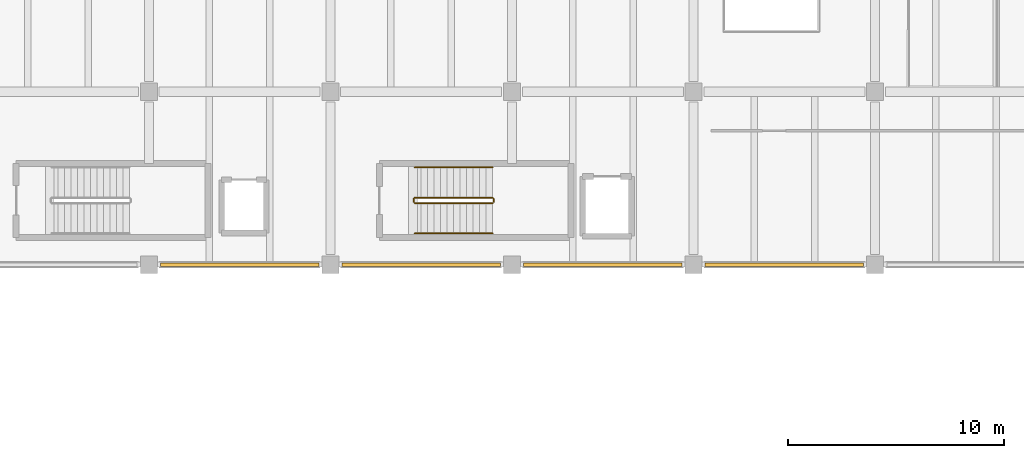
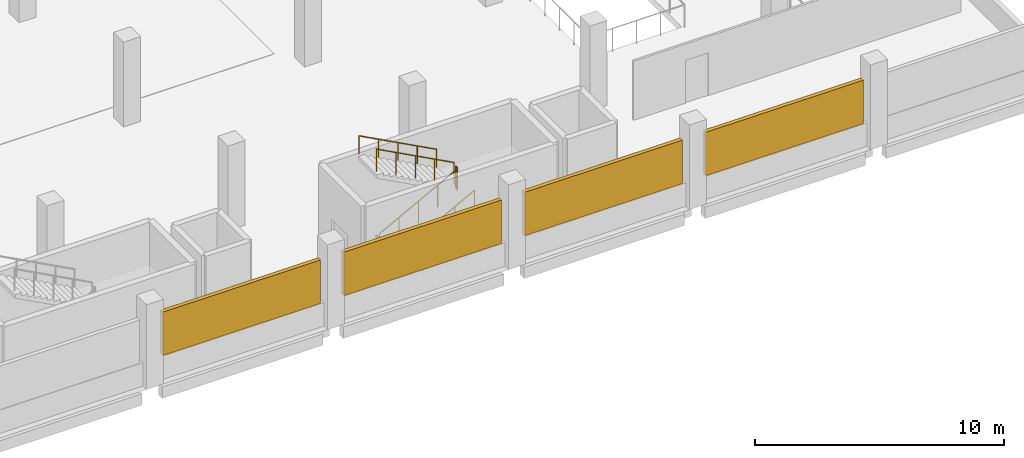
# One storey, part 174 of 177: 6 railings, 4 shading devices.
"""IFC4 building model written with IfcOpenShell, lengths in metres."""

from ifc_helpers import new_model, si_unit, direction, frame, origin, origin_2d, place, context, subcontext, project, spatial, rectangle, circle, extrude, material, type_object, element, save


model = new_model("IFC4")

# Units and contexts
model_context = context("Model", 3, precision=1e-05, world=origin(), true_north=direction((0.0, 1.0)))
body_context = subcontext(model_context, "Body", "Model", "MODEL_VIEW")
ifc_project = project(units=[si_unit("LENGTHUNIT", "METRE"), si_unit("AREAUNIT", "SQUARE_METRE"), si_unit("VOLUMEUNIT", "CUBIC_METRE"), si_unit("PLANEANGLEUNIT", "RADIAN"), si_unit("MASSUNIT", "GRAM", prefix="KILO"), si_unit("THERMODYNAMICTEMPERATUREUNIT", "KELVIN"), si_unit("POWERUNIT", "WATT")], contexts=[model_context])

# Site, building, storey
site_placement = place(None, origin())
site = spatial("IfcSite", under=ifc_project, at=site_placement, CompositionType="ELEMENT")
building_placement = place(site_placement, origin())
building = spatial("IfcBuilding", under=site, at=building_placement, Name="Mavoryth Pier Ferry Terminal", CompositionType="ELEMENT")
storey_placement = place(building_placement, frame((0.0, 0.0, 5.43994140625)))
storey = spatial("IfcBuildingStorey", under=building, at=storey_placement, Name="L01", CompositionType="ELEMENT", Elevation=5.43994140625)

# Railings
ifc_material_1 = material(Name="Painted Galvanised Steel Balustrade", Category="steel")
railing_type_1 = type_object("IfcRailingType", Name="Guard-Stair-Steel1100", PredefinedType="GUARDRAIL", material=ifc_material_1)
railing_1_placement = place(storey_placement, frame((138.300048828125, 16.85009765625, 0.16015625)))
element("IfcRailing", 1, at=railing_1_placement, inside=storey, type_object=railing_type_1, Name="L01 ST09 stair guard 1", PredefinedType="GUARDRAIL", context=body_context, shape_type="SweptSolid", body=[
    extrude(circle(Radius=0.02392578125, at=origin_2d()), frame((0.0, 0.0, 1.076171875), z_axis=(0.882352941176, 0.0, 0.470588235294), x_axis=(0.0, 1.0, 0.0)), (0.0, 0.0, 1.0), 4.079833984375),
    extrude(circle(Radius=0.02099609375, at=origin_2d()), origin(), (0.0, 0.0, 1.0), 1.052001953125),
    extrude(circle(Radius=0.02099609375, at=origin_2d()), frame((0.89990234375, 0.0, 0.47998046875)), (0.0, 0.0, 1.0), 1.052001953125),
    extrude(circle(Radius=0.02099609375, at=origin_2d()), frame((1.7998046875, 0.0, 0.9599609375)), (0.0, 0.0, 1.0), 1.052001953125),
    extrude(circle(Radius=0.02099609375, at=origin_2d()), frame((2.699951171875, 0.0, 1.43994140625)), (0.0, 0.0, 1.0), 1.052001953125),
    extrude(circle(Radius=0.02099609375, at=origin_2d()), frame((3.599853515625, 0.0, 1.919921875)), (0.0, 0.0, 1.0), 1.052001953125),
])
railing_2_placement = place(storey_placement, frame((141.949951171875, 16.89990234375, 2.080078125)))
element("IfcRailing", 2, at=railing_2_placement, inside=storey, type_object=railing_type_1, Name="L01 ST09 stair guard 2", PredefinedType="GUARDRAIL", context=body_context, shape_type="SweptSolid", body=[
    extrude(circle(Radius=0.02392578125, at=origin_2d()), frame((0.0, 0.0, 1.076171875), z_axis=(0.0, 1.0, 0.0), x_axis=(-1.0, 0.0, 0.0)), (0.0, 0.0, 1.0), 0.150146484375),
    extrude(circle(Radius=0.02099609375, at=origin_2d()), origin(), (0.0, 0.0, 1.0), 1.052001953125),
    extrude(circle(Radius=0.02099609375, at=origin_2d()), frame((0.0, 0.150146484375, 0.0)), (0.0, 0.0, 1.0), 1.052001953125),
])
railing_3_placement = place(storey_placement, frame((141.89990234375, 17.10009765625, 2.239990234375)))
element("IfcRailing", 3, at=railing_3_placement, inside=storey, type_object=railing_type_1, Name="L01 ST09 stair guard 3", PredefinedType="GUARDRAIL", context=body_context, shape_type="SweptSolid", body=[
    extrude(circle(Radius=0.02392578125, at=origin_2d()), frame((0.0, 0.0, 1.076171875), z_axis=(-0.882328093246, 0.0, 0.470634822203), x_axis=(0.0, -1.0, 0.0)), (0.0, 0.0, 1.0), 4.079833984375),
    extrude(circle(Radius=0.02099609375, at=origin_2d()), origin(), (0.0, 0.0, 1.0), 1.052001953125),
    extrude(circle(Radius=0.02099609375, at=origin_2d()), frame((-0.89990234375, 0.0, 0.47998046875)), (0.0, 0.0, 1.0), 1.052001953125),
    extrude(circle(Radius=0.02099609375, at=origin_2d()), frame((-1.7998046875, 0.0, 0.9599609375)), (0.0, 0.0, 1.0), 1.052001953125),
    extrude(circle(Radius=0.02099609375, at=origin_2d()), frame((-2.699951171875, 0.0, 1.440185546875)), (0.0, 0.0, 1.0), 1.052001953125),
    extrude(circle(Radius=0.02099609375, at=origin_2d()), frame((-3.599853515625, 0.0, 1.920166015625)), (0.0, 0.0, 1.0), 1.052001953125),
])
railing_4_placement = place(storey_placement, frame((138.25, 16.89990234375, 0.0)))
element("IfcRailing", 4, at=railing_4_placement, inside=storey, type_object=railing_type_1, Name="L01 ST09 stair guard 4", PredefinedType="GUARDRAIL", context=body_context, shape_type="SweptSolid", body=[
    extrude(circle(Radius=0.02392578125, at=origin_2d()), frame((0.0, 0.0, 1.076171875), z_axis=(0.0, 1.0, 0.0), x_axis=(-1.0, 0.0, 0.0)), (0.0, 0.0, 1.0), 0.150146484375),
    extrude(circle(Radius=0.02099609375, at=origin_2d()), origin(), (0.0, 0.0, 1.0), 1.052001953125),
    extrude(circle(Radius=0.02099609375, at=origin_2d()), frame((0.0, 0.150146484375, 0.0)), (0.0, 0.0, 1.0), 1.052001953125),
])
ifc_material_2 = material(Name="Brushed Stainless Steel Tubular Handrail", Category="steel")
railing_type_2 = type_object("IfcRailingType", Name="Handrail-Stair-SS900", PredefinedType="HANDRAIL", material=ifc_material_2)
railing_5_placement = place(storey_placement, frame((138.300048828125, 15.449951171875, 0.16015625)))
element("IfcRailing", 5, at=railing_5_placement, inside=storey, type_object=railing_type_2, Name="L01 ST09 stair handrail 1", PredefinedType="HANDRAIL", context=body_context, shape_type="SweptSolid", body=[
    extrude(circle(Radius=0.02392578125, at=origin_2d()), frame((0.0, 0.0, 0.8759765625), z_axis=(0.882352941176, 0.0, 0.470588235294), x_axis=(0.0, 1.0, 0.0)), (0.0, 0.0, 1.0), 4.079833984375),
    extrude(circle(Radius=0.02099609375, at=origin_2d()), origin(), (0.0, 0.0, 1.0), 0.851806640625),
    extrude(circle(Radius=0.02099609375, at=origin_2d()), frame((0.89990234375, 0.0, 0.47998046875)), (0.0, 0.0, 1.0), 0.851806640625),
    extrude(circle(Radius=0.02099609375, at=origin_2d()), frame((1.7998046875, 0.0, 0.9599609375)), (0.0, 0.0, 1.0), 0.851806640625),
    extrude(circle(Radius=0.02099609375, at=origin_2d()), frame((2.699951171875, 0.0, 1.43994140625)), (0.0, 0.0, 1.0), 0.851806640625),
    extrude(circle(Radius=0.02099609375, at=origin_2d()), frame((3.599853515625, 0.0, 1.919921875)), (0.0, 0.0, 1.0), 0.851806640625),
])
railing_6_placement = place(storey_placement, frame((141.89990234375, 18.5, 2.239990234375)))
element("IfcRailing", 6, at=railing_6_placement, inside=storey, type_object=railing_type_2, Name="L01 ST09 stair handrail 2", PredefinedType="HANDRAIL", context=body_context, shape_type="SweptSolid", body=[
    extrude(circle(Radius=0.02392578125, at=origin_2d()), frame((0.0, 0.0, 0.8759765625), z_axis=(-0.882328093246, 0.0, 0.470634822203), x_axis=(0.0, -1.0, 0.0)), (0.0, 0.0, 1.0), 4.079833984375),
    extrude(circle(Radius=0.02099609375, at=origin_2d()), origin(), (0.0, 0.0, 1.0), 0.851806640625),
    extrude(circle(Radius=0.02099609375, at=origin_2d()), frame((-0.89990234375, 0.0, 0.47998046875)), (0.0, 0.0, 1.0), 0.851806640625),
    extrude(circle(Radius=0.02099609375, at=origin_2d()), frame((-1.7998046875, 0.0, 0.9599609375)), (0.0, 0.0, 1.0), 0.851806640625),
    extrude(circle(Radius=0.02099609375, at=origin_2d()), frame((-2.699951171875, 0.0, 1.440185546875)), (0.0, 0.0, 1.0), 0.851806640625),
    extrude(circle(Radius=0.02099609375, at=origin_2d()), frame((-3.599853515625, 0.0, 1.920166015625)), (0.0, 0.0, 1.0), 0.851806640625),
])

# Shading devices
ifc_material_3 = material(Name="Perforated Glazed Ceramic Solar Screen")
shading_device_type = type_object("IfcShadingDeviceType", Name="Screen-Ceramic-Bay7400x1900", PredefinedType="JALOUSIE", material=ifc_material_3)
for number, where, z_axis, x_axis, name in (
    (7, (130.199951171875, 14.0, 1.14990234375), (0.0, 0.0, 1.0), (1.0, 0.0, 0.0), "Perforated Glazed Ceramic Solar Screen 5"),
    (8, (138.60009765625, 14.0, 1.14990234375), (0.0, 0.0, 1.0), (1.0, 0.0, 0.0), "Perforated Glazed Ceramic Solar Screen 7"),
    (9, (147.0, 14.0, 1.14990234375), (0.0, 0.0, 1.0), (1.0, 0.0, 0.0), "Perforated Glazed Ceramic Solar Screen 9"),
    (10, (155.39990234375, 14.0, 1.14990234375), (0.0, 0.0, 1.0), (1.0, 0.0, 0.0), "Perforated Glazed Ceramic Solar Screen 11"),
):
    element("IfcShadingDevice", number, at=place(storey_placement, frame(where, z_axis=z_axis, x_axis=x_axis)), inside=storey, type_object=shading_device_type, Name=name, PredefinedType="JALOUSIE", context=body_context, shape_type="SweptSolid", body=[
        extrude(rectangle(XDim=7.320068359375, YDim=0.179931640625, at=origin_2d()), origin(), (0.0, 0.0, 1.0), 2.135009765625),
    ])

save(model, "model.ifc")
